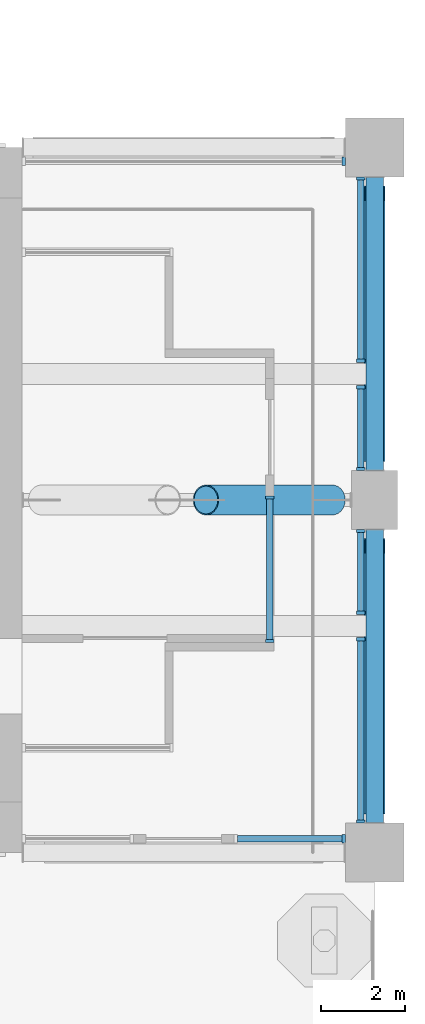
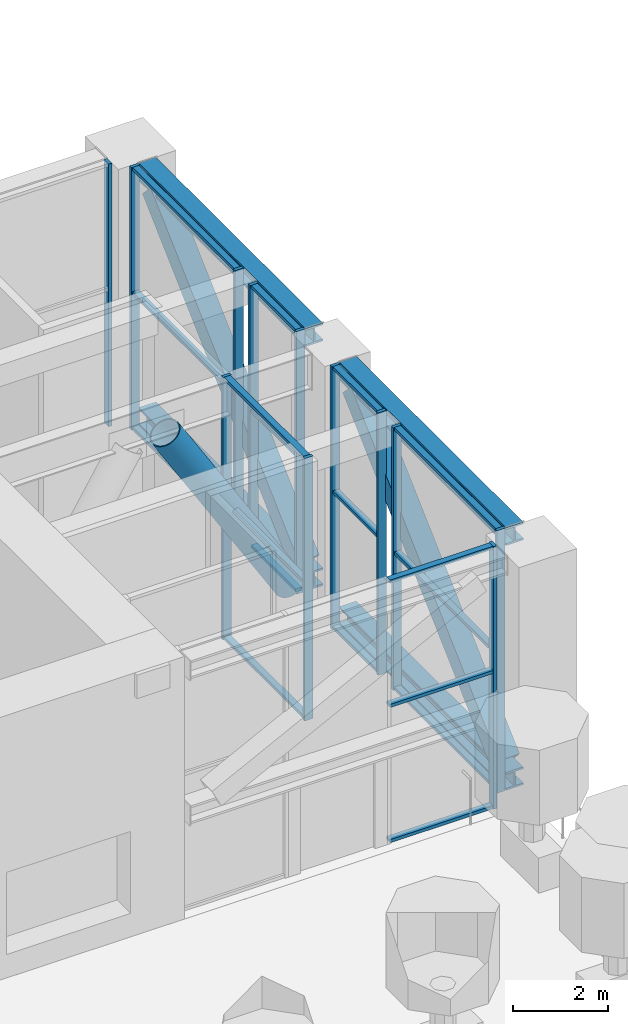
# One storey, part 7 of 28: 37 members, 7 elements without a shape of their own.
"""IFC4 building model written with IfcOpenShell, lengths in metres."""

from ifc_helpers import new_model, si_unit, direction, frame, origin, origin_2d, place, context, subcontext, project, spatial, rectangle, hollow_rectangle, hollow_circle, i_section, extrude, material, material_profile, profile_set, type_object, element, aggregate, save


model = new_model("IFC4")

# Units and contexts
model_context = context("Model", 3, precision=1e-05, world=origin(), true_north=direction((0.0, 1.0)))
body_context = subcontext(model_context, "Body", "Model", "MODEL_VIEW")
ifc_project = project(units=[si_unit("LENGTHUNIT", "METRE"), si_unit("AREAUNIT", "SQUARE_METRE"), si_unit("VOLUMEUNIT", "CUBIC_METRE"), si_unit("PLANEANGLEUNIT", "RADIAN"), si_unit("MASSUNIT", "GRAM", prefix="KILO")], contexts=[model_context])

# Site, building, storey
site_placement = place(None, origin())
site = spatial("IfcSite", under=ifc_project, at=site_placement, CompositionType="ELEMENT")
building_placement = place(site_placement, origin())
building = spatial("IfcBuilding", under=site, at=building_placement, Name="Vermilion Gate Residences", CompositionType="ELEMENT")
storey_placement = place(building_placement, frame((0.0, 0.0, 74.199951171875)))
storey = spatial("IfcBuildingStorey", under=building, at=storey_placement, Name="L18", CompositionType="ELEMENT", Elevation=74.199951171875)

# Curtain wall, members
ifc_material_1 = material(Name="Aluminium and glass", Category="aluminium")
curtain_wall_type = type_object("IfcCurtainWallType", Name="SKY GARDEN GLAZING CURTAIN WALL", PredefinedType="NOTDEFINED", material=ifc_material_1)
curtain_wall_1_placement = place(storey_placement, origin())
curtain_wall_1 = element("IfcCurtainWall", 1, at=curtain_wall_1_placement, inside=storey, type_object=curtain_wall_type, Name="Sky Garden Glazing 100", PredefinedType="NOTDEFINED")
ifc_material_2 = material(Name="Aluminium", Category="aluminium")
ifc_material_profile_1 = material_profile(ifc_material_2, rectangle(XDim=0.199951171875, YDim=0.080078125, at=origin_2d()), Name="MULLION 80 X 200")
ifc_profile_set_1 = profile_set([ifc_material_profile_1], Name="Aluminium")
member_type_1 = type_object("IfcMemberType", Name="SKY GARDEN GLAZING MULLION 80 X 200", PredefinedType="MULLION", material=ifc_profile_set_1)
member_1_placement = place(storey_placement, frame((64.699951171875, 13.43994140625, 0.0), z_axis=(0.0, 0.0, 1.0), x_axis=(-1.0, 0.0, 0.0)))
member_1 = element("IfcMember", 2, at=member_1_placement, type_object=member_type_1, Name="ECW3 mullion 1", PredefinedType="MULLION", context=body_context, shape_type="SweptSolid", body=[
    extrude(rectangle(XDim=0.199951171875, YDim=0.080078125, at=origin_2d()), origin(), (0.0, 0.0, 1.0), 6.719970703125),
])
member_2_placement = place(storey_placement, frame((64.699951171875, 16.860107421875, 0.0), z_axis=(0.0, 0.0, 1.0), x_axis=(-1.0, 0.0, 0.0)))
member_2 = element("IfcMember", 3, at=member_2_placement, type_object=member_type_1, Name="ECW3 mullion 2", PredefinedType="MULLION", context=body_context, shape_type="SweptSolid", body=[
    extrude(rectangle(XDim=0.199951171875, YDim=0.080078125, at=origin_2d()), origin(), (0.0, 0.0, 1.0), 6.719970703125),
])

# Curtain wall, member
curtain_wall_2_placement = place(storey_placement, origin())
curtain_wall_2 = element("IfcCurtainWall", 4, at=curtain_wall_2_placement, inside=storey, type_object=curtain_wall_type, Name="Sky Garden Glazing 812", PredefinedType="NOTDEFINED")
member_3_placement = place(storey_placement, frame((66.4599609375, 8.72998046875, 0.0), z_axis=(0.0, 0.0, 1.0), x_axis=(0.0, 1.0, 0.0)))
member_3 = element("IfcMember", 5, at=member_3_placement, type_object=member_type_1, Name="ECW3 mullion 2", PredefinedType="MULLION", context=body_context, shape_type="SweptSolid", body=[
    extrude(rectangle(XDim=0.199951171875, YDim=0.080078125, at=origin_2d()), origin(), (0.0, 0.0, 1.0), 6.719970703125),
])

# Curtain wall, members
curtain_wall_3_placement = place(storey_placement, origin())
curtain_wall_3 = element("IfcCurtainWall", 6, at=curtain_wall_3_placement, inside=storey, type_object=curtain_wall_type, Name="Sky Garden Glazing 512", PredefinedType="NOTDEFINED")
member_4_placement = place(storey_placement, frame((66.8701171875, 9.139892578125, 0.0), z_axis=(0.0, 0.0, 1.0), x_axis=(-1.0, 0.0, 0.0)))
member_4 = element("IfcMember", 7, at=member_4_placement, type_object=member_type_1, Name="ECW3 mullion 1", PredefinedType="MULLION", context=body_context, shape_type="SweptSolid", body=[
    extrude(rectangle(XDim=0.199951171875, YDim=0.080078125, at=origin_2d()), origin(), (0.0, 0.0, 1.0), 6.719970703125),
])
member_5_placement = place(storey_placement, frame((66.8701171875, 13.485107421875, 0.0), z_axis=(0.0, 0.0, 1.0), x_axis=(-1.0, 0.0, 0.0)))
member_5 = element("IfcMember", 8, at=member_5_placement, type_object=member_type_1, Name="ECW3 mullion 2", PredefinedType="MULLION", context=body_context, shape_type="SweptSolid", body=[
    extrude(rectangle(XDim=0.199951171875, YDim=0.080078125, at=origin_2d()), origin(), (0.0, 0.0, 1.0), 6.719970703125),
])

curtain_wall_4_placement = place(storey_placement, origin())
curtain_wall_4 = element("IfcCurtainWall", 9, at=curtain_wall_4_placement, inside=storey, type_object=curtain_wall_type, Name="Sky Garden Glazing 513", PredefinedType="NOTDEFINED")
member_6_placement = place(storey_placement, frame((66.8701171875, 14.114990234375, 0.0), z_axis=(0.0, 0.0, 1.0), x_axis=(-1.0, 0.0, 0.0)))
member_6 = element("IfcMember", 10, at=member_6_placement, type_object=member_type_1, Name="ECW3 mullion 1", PredefinedType="MULLION", context=body_context, shape_type="SweptSolid", body=[
    extrude(rectangle(XDim=0.199951171875, YDim=0.080078125, at=origin_2d()), origin(), (0.0, 0.0, 1.0), 6.719970703125),
])
member_7_placement = place(storey_placement, frame((66.8701171875, 16.06005859375, 0.0), z_axis=(0.0, 0.0, 1.0), x_axis=(-1.0, 0.0, 0.0)))
member_7 = element("IfcMember", 11, at=member_7_placement, type_object=member_type_1, Name="ECW3 mullion 2", PredefinedType="MULLION", context=body_context, shape_type="SweptSolid", body=[
    extrude(rectangle(XDim=0.199951171875, YDim=0.080078125, at=origin_2d()), origin(), (0.0, 0.0, 1.0), 6.719970703125),
])

curtain_wall_5_placement = place(storey_placement, origin())
curtain_wall_5 = element("IfcCurtainWall", 12, at=curtain_wall_5_placement, inside=storey, type_object=curtain_wall_type, Name="Sky Garden Glazing 514", PredefinedType="NOTDEFINED")
member_8_placement = place(storey_placement, frame((66.8701171875, 17.5400390625, 0.0), z_axis=(0.0, 0.0, 1.0), x_axis=(-1.0, 0.0, 0.0)))
member_8 = element("IfcMember", 13, at=member_8_placement, type_object=member_type_1, Name="ECW3 mullion 1", PredefinedType="MULLION", context=body_context, shape_type="SweptSolid", body=[
    extrude(rectangle(XDim=0.199951171875, YDim=0.080078125, at=origin_2d()), origin(), (0.0, 0.0, 1.0), 6.719970703125),
])
member_9_placement = place(storey_placement, frame((66.8701171875, 19.485107421875, 0.0), z_axis=(0.0, 0.0, 1.0), x_axis=(-1.0, 0.0, 0.0)))
member_9 = element("IfcMember", 14, at=member_9_placement, type_object=member_type_1, Name="ECW3 mullion 2", PredefinedType="MULLION", context=body_context, shape_type="SweptSolid", body=[
    extrude(rectangle(XDim=0.199951171875, YDim=0.080078125, at=origin_2d()), origin(), (0.0, 0.0, 1.0), 6.719970703125),
])

curtain_wall_6_placement = place(storey_placement, origin())
curtain_wall_6 = element("IfcCurtainWall", 15, at=curtain_wall_6_placement, inside=storey, type_object=curtain_wall_type, Name="Sky Garden Glazing 515", PredefinedType="NOTDEFINED")
member_10_placement = place(storey_placement, frame((66.8701171875, 20.114990234375, 0.0), z_axis=(0.0, 0.0, 1.0), x_axis=(-1.0, 0.0, 0.0)))
member_10 = element("IfcMember", 16, at=member_10_placement, type_object=member_type_1, Name="ECW3 mullion 1", PredefinedType="MULLION", context=body_context, shape_type="SweptSolid", body=[
    extrude(rectangle(XDim=0.199951171875, YDim=0.080078125, at=origin_2d()), origin(), (0.0, 0.0, 1.0), 6.719970703125),
])
member_11_placement = place(storey_placement, frame((66.8701171875, 24.4599609375, 0.0), z_axis=(0.0, 0.0, 1.0), x_axis=(-1.0, 0.0, 0.0)))
member_11 = element("IfcMember", 17, at=member_11_placement, type_object=member_type_1, Name="ECW3 mullion 2", PredefinedType="MULLION", context=body_context, shape_type="SweptSolid", body=[
    extrude(rectangle(XDim=0.199951171875, YDim=0.080078125, at=origin_2d()), origin(), (0.0, 0.0, 1.0), 6.719970703125),
])

# Curtain wall, member
curtain_wall_7_placement = place(storey_placement, origin())
curtain_wall_7 = element("IfcCurtainWall", 18, at=curtain_wall_7_placement, inside=storey, type_object=curtain_wall_type, Name="Sky Garden Glazing 516", PredefinedType="NOTDEFINED")
member_12_placement = place(storey_placement, frame((66.4599609375, 24.8701171875, 0.0), z_axis=(0.0, 0.0, 1.0), x_axis=(0.0, -1.0, 0.0)))
member_12 = element("IfcMember", 19, at=member_12_placement, type_object=member_type_1, Name="ECW3 mullion 1", PredefinedType="MULLION", context=body_context, shape_type="SweptSolid", body=[
    extrude(rectangle(XDim=0.199951171875, YDim=0.080078125, at=origin_2d()), origin(), (0.0, 0.0, 1.0), 6.719970703125),
])
aggregate(curtain_wall_7, [member_12])

# Member
ifc_material_3 = material(Name="Aluminium", Category="aluminium")
ifc_material_profile_2 = material_profile(ifc_material_3, rectangle(XDim=0.14990234375, YDim=0.080078125, at=origin_2d()), Name="TRANSOM 80 X 150")
ifc_profile_set_2 = profile_set([ifc_material_profile_2], Name="Aluminium")
member_type_2 = type_object("IfcMemberType", Name="SKY GARDEN GLAZING TRANSOM 80 X 150", PredefinedType="MULLION", material=ifc_profile_set_2)
member_13_placement = place(storey_placement, frame((64.699951171875, 13.47998046875, 0.0400390625), z_axis=(0.0, 1.0, 0.0), x_axis=(-1.0, 0.0, 0.0)))
member_13 = element("IfcMember", 20, at=member_13_placement, type_object=member_type_2, Name="ECW3 transom 1.1", PredefinedType="MULLION", context=body_context, shape_type="SweptSolid", body=[
    extrude(rectangle(XDim=0.14990234375, YDim=0.080078125, at=origin_2d()), origin(), (0.0, 0.0, 1.0), 3.340087890625),
])

member_14_placement = place(storey_placement, frame((64.699951171875, 13.47998046875, 3.5), z_axis=(0.0, 1.0, 0.0), x_axis=(-1.0, 0.0, 0.0)))
member_14 = element("IfcMember", 21, at=member_14_placement, type_object=member_type_2, Name="ECW3 transom 1.2", PredefinedType="MULLION", context=body_context, shape_type="SweptSolid", body=[
    extrude(rectangle(XDim=0.14990234375, YDim=0.080078125, at=origin_2d()), origin(), (0.0, 0.0, 1.0), 3.340087890625),
])

member_15_placement = place(storey_placement, frame((64.699951171875, 13.47998046875, 6.679931640625), z_axis=(0.0, 1.0, 0.0), x_axis=(-1.0, 0.0, 0.0)))
member_15 = element("IfcMember", 22, at=member_15_placement, type_object=member_type_2, Name="ECW3 transom 1.3", PredefinedType="MULLION", context=body_context, shape_type="SweptSolid", body=[
    extrude(rectangle(XDim=0.14990234375, YDim=0.080078125, at=origin_2d()), origin(), (0.0, 0.0, 1.0), 3.340087890625),
])

aggregate(curtain_wall_1, [member_1, member_2, member_13, member_14, member_15])

member_16_placement = place(storey_placement, frame((63.929931640625, 8.72998046875, 0.0400390625), z_axis=(1.0, 0.0, 0.0), x_axis=(0.0, 1.0, 0.0)))
member_16 = element("IfcMember", 23, at=member_16_placement, type_object=member_type_2, Name="ECW3 transom 1.1", PredefinedType="MULLION", context=body_context, shape_type="SweptSolid", body=[
    extrude(rectangle(XDim=0.14990234375, YDim=0.080078125, at=origin_2d()), origin(), (0.0, 0.0, 1.0), 2.489990234375),
])

member_17_placement = place(storey_placement, frame((63.929931640625, 8.72998046875, 3.5), z_axis=(1.0, 0.0, 0.0), x_axis=(0.0, 1.0, 0.0)))
member_17 = element("IfcMember", 24, at=member_17_placement, type_object=member_type_2, Name="ECW3 transom 1.2", PredefinedType="MULLION", context=body_context, shape_type="SweptSolid", body=[
    extrude(rectangle(XDim=0.14990234375, YDim=0.080078125, at=origin_2d()), origin(), (0.0, 0.0, 1.0), 2.489990234375),
])

member_18_placement = place(storey_placement, frame((63.929931640625, 8.72998046875, 6.679931640625), z_axis=(1.0, 0.0, 0.0), x_axis=(0.0, 1.0, 0.0)))
member_18 = element("IfcMember", 25, at=member_18_placement, type_object=member_type_2, Name="ECW3 transom 1.3", PredefinedType="MULLION", context=body_context, shape_type="SweptSolid", body=[
    extrude(rectangle(XDim=0.14990234375, YDim=0.080078125, at=origin_2d()), origin(), (0.0, 0.0, 1.0), 2.489990234375),
])

aggregate(curtain_wall_2, [member_3, member_16, member_17, member_18])

member_19_placement = place(storey_placement, frame((66.8701171875, 9.179931640625, 0.0400390625), z_axis=(0.0, 1.0, 0.0), x_axis=(-1.0, 0.0, 0.0)))
member_19 = element("IfcMember", 26, at=member_19_placement, type_object=member_type_2, Name="ECW3 transom 1.1", PredefinedType="MULLION", context=body_context, shape_type="SweptSolid", body=[
    extrude(rectangle(XDim=0.14990234375, YDim=0.080078125, at=origin_2d()), origin(), (0.0, 0.0, 1.0), 4.26513671875),
])

member_20_placement = place(storey_placement, frame((66.8701171875, 9.179931640625, 3.5), z_axis=(0.0, 1.0, 0.0), x_axis=(-1.0, 0.0, 0.0)))
member_20 = element("IfcMember", 27, at=member_20_placement, type_object=member_type_2, Name="ECW3 transom 1.2", PredefinedType="MULLION", context=body_context, shape_type="SweptSolid", body=[
    extrude(rectangle(XDim=0.14990234375, YDim=0.080078125, at=origin_2d()), origin(), (0.0, 0.0, 1.0), 4.26513671875),
])

member_21_placement = place(storey_placement, frame((66.8701171875, 9.179931640625, 6.679931640625), z_axis=(0.0, 1.0, 0.0), x_axis=(-1.0, 0.0, 0.0)))
member_21 = element("IfcMember", 28, at=member_21_placement, type_object=member_type_2, Name="ECW3 transom 1.3", PredefinedType="MULLION", context=body_context, shape_type="SweptSolid", body=[
    extrude(rectangle(XDim=0.14990234375, YDim=0.080078125, at=origin_2d()), origin(), (0.0, 0.0, 1.0), 4.26513671875),
])

aggregate(curtain_wall_3, [member_4, member_5, member_19, member_20, member_21])

member_22_placement = place(storey_placement, frame((66.8701171875, 14.155029296875, 0.0400390625), z_axis=(0.0, 1.0, 0.0), x_axis=(-1.0, 0.0, 0.0)))
member_22 = element("IfcMember", 29, at=member_22_placement, type_object=member_type_2, Name="ECW3 transom 1.1", PredefinedType="MULLION", context=body_context, shape_type="SweptSolid", body=[
    extrude(rectangle(XDim=0.14990234375, YDim=0.080078125, at=origin_2d()), origin(), (0.0, 0.0, 1.0), 1.864990234375),
])

member_23_placement = place(storey_placement, frame((66.8701171875, 14.155029296875, 3.5), z_axis=(0.0, 1.0, 0.0), x_axis=(-1.0, 0.0, 0.0)))
member_23 = element("IfcMember", 30, at=member_23_placement, type_object=member_type_2, Name="ECW3 transom 1.2", PredefinedType="MULLION", context=body_context, shape_type="SweptSolid", body=[
    extrude(rectangle(XDim=0.14990234375, YDim=0.080078125, at=origin_2d()), origin(), (0.0, 0.0, 1.0), 1.864990234375),
])

member_24_placement = place(storey_placement, frame((66.8701171875, 14.155029296875, 6.679931640625), z_axis=(0.0, 1.0, 0.0), x_axis=(-1.0, 0.0, 0.0)))
member_24 = element("IfcMember", 31, at=member_24_placement, type_object=member_type_2, Name="ECW3 transom 1.3", PredefinedType="MULLION", context=body_context, shape_type="SweptSolid", body=[
    extrude(rectangle(XDim=0.14990234375, YDim=0.080078125, at=origin_2d()), origin(), (0.0, 0.0, 1.0), 1.864990234375),
])

aggregate(curtain_wall_4, [member_6, member_7, member_22, member_23, member_24])

member_25_placement = place(storey_placement, frame((66.8701171875, 17.580078125, 0.0400390625), z_axis=(0.0, 1.0, 0.0), x_axis=(-1.0, 0.0, 0.0)))
member_25 = element("IfcMember", 32, at=member_25_placement, type_object=member_type_2, Name="ECW3 transom 1.1", PredefinedType="MULLION", context=body_context, shape_type="SweptSolid", body=[
    extrude(rectangle(XDim=0.14990234375, YDim=0.080078125, at=origin_2d()), origin(), (0.0, 0.0, 1.0), 1.864990234375),
])

member_26_placement = place(storey_placement, frame((66.8701171875, 17.580078125, 3.5), z_axis=(0.0, 1.0, 0.0), x_axis=(-1.0, 0.0, 0.0)))
member_26 = element("IfcMember", 33, at=member_26_placement, type_object=member_type_2, Name="ECW3 transom 1.2", PredefinedType="MULLION", context=body_context, shape_type="SweptSolid", body=[
    extrude(rectangle(XDim=0.14990234375, YDim=0.080078125, at=origin_2d()), origin(), (0.0, 0.0, 1.0), 1.864990234375),
])

member_27_placement = place(storey_placement, frame((66.8701171875, 17.580078125, 6.679931640625), z_axis=(0.0, 1.0, 0.0), x_axis=(-1.0, 0.0, 0.0)))
member_27 = element("IfcMember", 34, at=member_27_placement, type_object=member_type_2, Name="ECW3 transom 1.3", PredefinedType="MULLION", context=body_context, shape_type="SweptSolid", body=[
    extrude(rectangle(XDim=0.14990234375, YDim=0.080078125, at=origin_2d()), origin(), (0.0, 0.0, 1.0), 1.864990234375),
])

aggregate(curtain_wall_5, [member_8, member_9, member_25, member_26, member_27])

member_28_placement = place(storey_placement, frame((66.8701171875, 20.155029296875, 0.0400390625), z_axis=(0.0, 1.0, 0.0), x_axis=(-1.0, 0.0, 0.0)))
member_28 = element("IfcMember", 35, at=member_28_placement, type_object=member_type_2, Name="ECW3 transom 1.1", PredefinedType="MULLION", context=body_context, shape_type="SweptSolid", body=[
    extrude(rectangle(XDim=0.14990234375, YDim=0.080078125, at=origin_2d()), origin(), (0.0, 0.0, 1.0), 4.264892578125),
])

member_29_placement = place(storey_placement, frame((66.8701171875, 20.155029296875, 3.5), z_axis=(0.0, 1.0, 0.0), x_axis=(-1.0, 0.0, 0.0)))
member_29 = element("IfcMember", 36, at=member_29_placement, type_object=member_type_2, Name="ECW3 transom 1.2", PredefinedType="MULLION", context=body_context, shape_type="SweptSolid", body=[
    extrude(rectangle(XDim=0.14990234375, YDim=0.080078125, at=origin_2d()), origin(), (0.0, 0.0, 1.0), 4.264892578125),
])

member_30_placement = place(storey_placement, frame((66.8701171875, 20.155029296875, 6.679931640625), z_axis=(0.0, 1.0, 0.0), x_axis=(-1.0, 0.0, 0.0)))
member_30 = element("IfcMember", 37, at=member_30_placement, type_object=member_type_2, Name="ECW3 transom 1.3", PredefinedType="MULLION", context=body_context, shape_type="SweptSolid", body=[
    extrude(rectangle(XDim=0.14990234375, YDim=0.080078125, at=origin_2d()), origin(), (0.0, 0.0, 1.0), 4.264892578125),
])

aggregate(curtain_wall_6, [member_10, member_11, member_28, member_29, member_30])

# Members
ifc_material_4 = material(Name="Steel SM490", Category="steel")
ifc_material_profile_3 = material_profile(ifc_material_4, i_section(OverallWidth=0.4169921875, OverallDepth=0.4580078125, WebThickness=0.030029296875, FlangeThickness=0.050048828125, at=origin_2d()), Name="H-458x417x30x50")
ifc_profile_set_3 = profile_set([ifc_material_profile_3], Name="Steel SM490")
member_type_3 = type_object("IfcMemberType", Name="STEEL BELT TRUSS CHORD H-458x417x30x50 SM490", PredefinedType="CHORD", material=ifc_profile_set_3)
for number, where, z_axis, x_axis, name in (
    (38, (67.199951171875, 9.10009765625, 0.22900390625), (0.0, 1.0, 0.0), (-1.0, 0.0, 0.0), "Belt Truss chord bot L18 BELT18"),
    (39, (67.199951171875, 9.10009765625, 6.490966796875), (0.0, 1.0, 0.0), (-1.0, 0.0, 0.0), "Belt Truss chord top L18 BELT18"),
    (40, (67.199951171875, 17.5, 0.22900390625), (0.0, 1.0, 0.0), (-1.0, 0.0, 0.0), "Belt Truss chord bot L18 BELT19"),
    (41, (67.199951171875, 17.5, 6.490966796875), (0.0, 1.0, 0.0), (-1.0, 0.0, 0.0), "Belt Truss chord top L18 BELT19"),
):
    element("IfcMember", number, at=place(storey_placement, frame(where, z_axis=z_axis, x_axis=x_axis)), inside=storey, type_object=member_type_3, Name=name, PredefinedType="CHORD", context=body_context, shape_type="SweptSolid", body=[
        extrude(i_section(OverallWidth=0.4169921875, OverallDepth=0.4580078125, WebThickness=0.030029296875, FlangeThickness=0.050048828125, at=origin_2d()), origin(), (0.0, 0.0, 1.0), 7.0),
    ])
ifc_material_5 = material(Name="Steel SM490", Category="steel")
ifc_material_profile_4 = material_profile(ifc_material_5, hollow_rectangle(XDim=0.5, YDim=0.5, WallThickness=0.02197265625, at=origin_2d()), Name="BOX-500x500x22")
ifc_profile_set_4 = profile_set([ifc_material_profile_4], Name="Steel SM490")
member_type_4 = type_object("IfcMemberType", Name="STEEL BELT TRUSS DIAGONAL BOX-500x500x22 SM490", PredefinedType="BRACE", material=ifc_profile_set_4)
for number, where, z_axis, x_axis, name in (
    (42, (67.199951171875, 9.49169921875, 0.4580078125), (0.0, 0.730947389044, 0.682433816901), (-1.0, 0.0, 0.0), "Belt Truss diagonal L18 BELT18-1"),
    (43, (67.199951171875, 17.8916015625, 0.4580078125), (0.0, 0.730960757583, 0.682419497723), (-1.0, 0.0, 0.0), "Belt Truss diagonal L18 BELT19-1"),
):
    element("IfcMember", number, at=place(storey_placement, frame(where, z_axis=z_axis, x_axis=x_axis)), inside=storey, type_object=member_type_4, Name=name, PredefinedType="BRACE", context=body_context, shape_type="SweptSolid", body=[
        extrude(hollow_rectangle(XDim=0.5, YDim=0.5, WallThickness=0.02197265625, at=origin_2d()), origin(), (0.0, 0.0, 1.0), 8.5048828125),
    ])
ifc_material_6 = material(Name="Steel SM490", Category="steel")
ifc_material_profile_5 = material_profile(ifc_material_6, hollow_circle(Radius=0.355712890625, WallThickness=0.025390625, at=origin_2d()), Name="CHS-711.2x25.4")
ifc_profile_set_5 = profile_set([ifc_material_profile_5], Name="Steel SM490")
member_type_5 = type_object("IfcMemberType", Name="STEEL OUTRIGGER TRUSS DIAGONAL CHS-711.2x25.4 SM490", PredefinedType="BRACE", material=ifc_profile_set_5)
member_31_placement = place(storey_placement, frame((63.179931640625, 16.800048828125, 5.820068359375), z_axis=(0.522524356371, 0.0, -0.852624358671), x_axis=(0.0, 1.0, 0.0)))
element("IfcMember", 44, at=member_31_placement, inside=storey, type_object=member_type_5, Name="Outrigger Truss diagonal L18 OUT2-2", PredefinedType="BRACE", context=body_context, shape_type="SweptSolid", body=[
    extrude(hollow_circle(Radius=0.355712890625, WallThickness=0.025390625, at=origin_2d()), origin(), (0.0, 0.0, 1.0), 5.770263671875),
])

save(model, "model.ifc")
